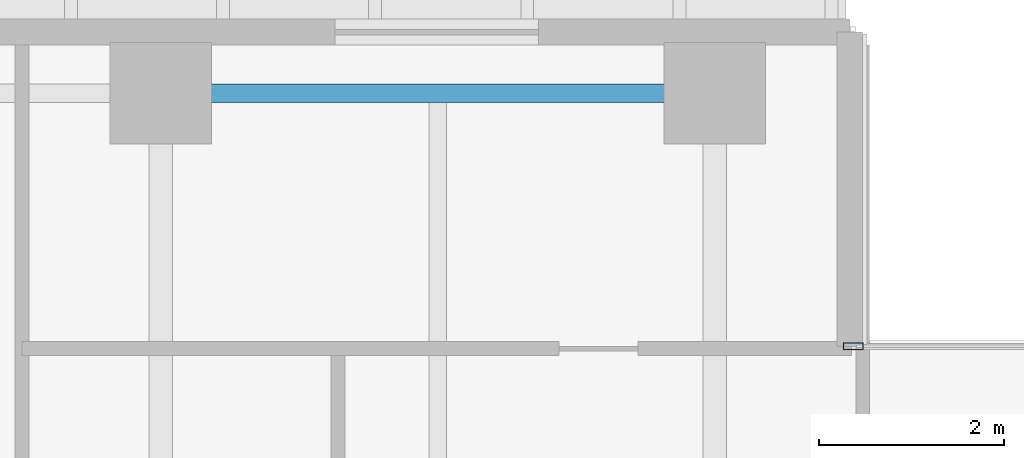
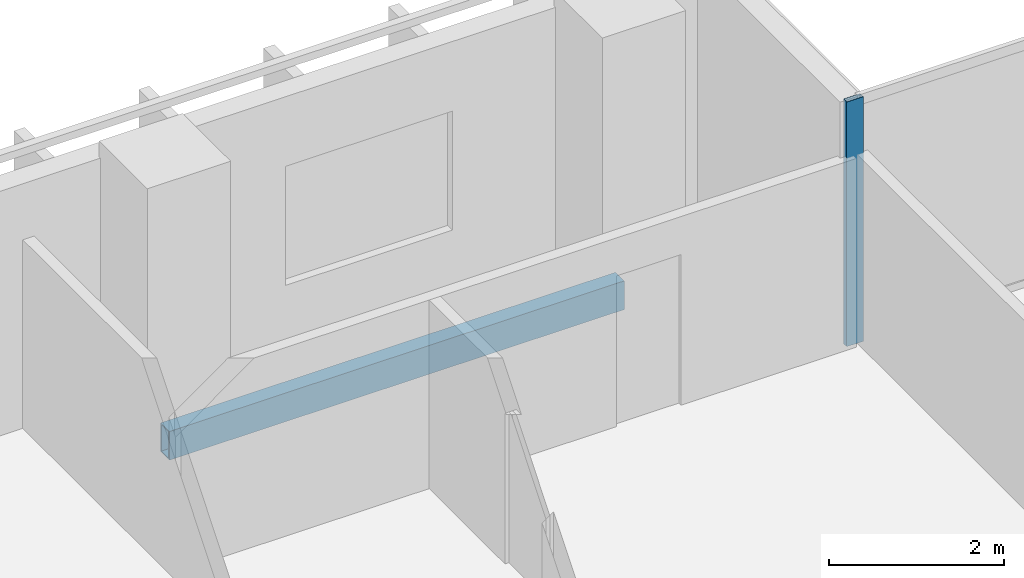
# One storey, part 6 of 26: 1 beam, 1 member, 1 element without a shape of its own.
"""IFC4 building model written with IfcOpenShell, lengths in metres."""

from ifc_helpers import new_model, si_unit, direction, frame, origin, origin_2d, place, context, subcontext, project, spatial, hollow_rectangle, extrude, material, layer, layer_set, material_profile, profile_set, type_object, element, aggregate, save


model = new_model("IFC4")

# Units and contexts
model_context = context("Model", 3, precision=1e-05, world=origin(), true_north=direction((0.0, 1.0)))
body_context = subcontext(model_context, "Body", "Model", "MODEL_VIEW")
ifc_project = project(units=[si_unit("LENGTHUNIT", "METRE"), si_unit("AREAUNIT", "SQUARE_METRE"), si_unit("VOLUMEUNIT", "CUBIC_METRE"), si_unit("PLANEANGLEUNIT", "RADIAN"), si_unit("MASSUNIT", "GRAM", prefix="KILO")], contexts=[model_context])

# Site, building, storey
site_placement = place(None, origin())
site = spatial("IfcSite", under=ifc_project, at=site_placement, CompositionType="ELEMENT")
building_placement = place(site_placement, origin())
building = spatial("IfcBuilding", under=site, at=building_placement, Name="Tanjung Sevakor Pilgrim Tower", CompositionType="ELEMENT")
storey_placement = place(building_placement, frame((0.0, 0.0, 66.0)))
storey = spatial("IfcBuildingStorey", under=building, at=storey_placement, Name="L18", CompositionType="ELEMENT", Elevation=66.0)

# Beam
ifc_material_1 = material(Name="Steel S355J2", Category="steel")
ifc_material_profile_1 = material_profile(ifc_material_1, hollow_rectangle(XDim=0.199951171875, YDim=0.39990234375, WallThickness=0.01611328125, at=origin_2d()))
ifc_profile_set_1 = profile_set([ifc_material_profile_1], Name="Steel S355J2")
beam_type = type_object("IfcBeamType", Name="BM-B-SP2-RHS_400x200x16", PredefinedType="SPANDREL", material=ifc_profile_set_1)
beam_placement = place(storey_placement, frame((36.0, 58.800048828125, -0.419921875), z_axis=(1.0, 0.0, 0.0), x_axis=(0.0, 1.0, 0.0)))
element("IfcBeam", 1, at=beam_placement, inside=storey, type_object=beam_type, Name="L18 Spandrel MAIN N-06", PredefinedType="SPANDREL", context=body_context, shape_type="SweptSolid", body=[
    extrude(hollow_rectangle(XDim=0.199951171875, YDim=0.39990234375, WallThickness=0.01611328125, at=origin_2d()), origin(), (0.0, 0.0, 1.0), 6.0),
])

# Curtain wall, member
ifc_material_2 = material(Name="Aluminium 6063-T6 and Low-E Glass", Category="aluminium")
ifc_layer = layer(ifc_material_2, 0.179931640625)
ifc_layer_set = layer_set([ifc_layer], Name="CW-SYS-CLEFT")
curtain_wall_type = type_object("IfcCurtainWallType", Name="CW-SYS-CLEFT", PredefinedType="NOTDEFINED", material=ifc_layer_set)
curtain_wall_placement = place(storey_placement, origin())
curtain_wall = element("IfcCurtainWall", 2, at=curtain_wall_placement, inside=storey, type_object=curtain_wall_type, Name="L18 Curtain Wall CW-CLF-L18-10", PredefinedType="NOTDEFINED")
ifc_material_3 = material(Name="Aluminium 6063-T6", Category="aluminium")
ifc_material_profile_2 = material_profile(ifc_material_3, hollow_rectangle(XDim=0.074951171875, YDim=0.219970703125, WallThickness=0.0048828125, at=origin_2d()))
ifc_profile_set_2 = profile_set([ifc_material_profile_2], Name="Aluminium 6063-T6")
member_type = type_object("IfcMemberType", Name="TYPE-CWM-2", PredefinedType="MULLION", material=ifc_profile_set_2)
member_placement = place(storey_placement, frame((43.49755859375, 56.06005859375, 0.0), z_axis=(0.0, 0.0, 1.0), x_axis=(0.0, -1.0, 0.0)))
member = element("IfcMember", 3, at=member_placement, type_object=member_type, Name="CW-CLF mullion 2", PredefinedType="MULLION", context=body_context, shape_type="SweptSolid", body=[
    extrude(hollow_rectangle(XDim=0.074951171875, YDim=0.219970703125, WallThickness=0.0048828125, at=origin_2d()), origin(), (0.0, 0.0, 1.0), 3.409912109375),
])
aggregate(curtain_wall, [member])

save(model, "model.ifc")
